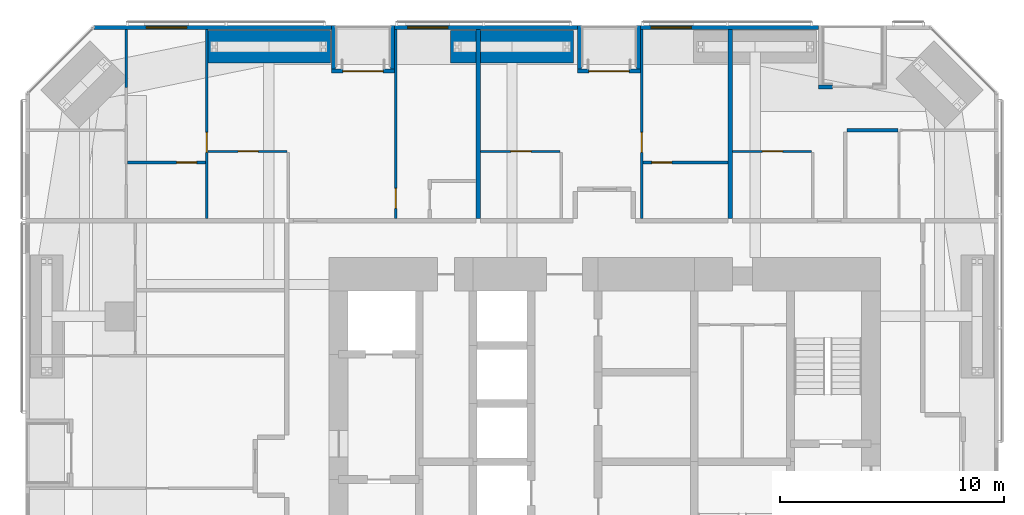
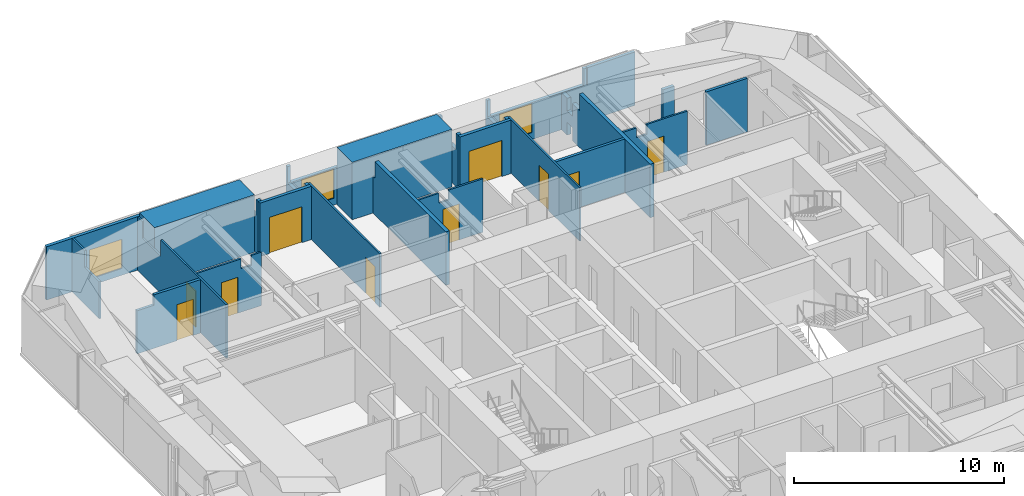
# One storey, part 22 of 24: 24 walls, 10 doors, 3 windows, 13 openings.
"""IFC4 building model written with IfcOpenShell, lengths in metres."""

import ifcopenshell
import ifcopenshell.guid

model = None  # the IFC model being written
_history = None  # IfcOwnerHistory: only IFC2X3 demands one
_inside = {}  # id of a spatial element -> (the spatial element, [elements in it])
_under = {}  # id of a project, library or spatial element -> (it, [spatial elements below it])
_declared = {}  # id of a project -> (the project, [libraries it declares])
_typed = {}  # id of a type object -> (the type object, [elements of that type])
_made_of = {}  # id of a material, layer set ... -> (it, [elements and type objects made of it])


def new_model(schema):
    """Start an empty IFC model of exactly this schema.

    Asked for "IFC4X3", IfcOpenShell would pick the latest addendum, in which some entities
    have other attributes; the version numbers below select the first issue.
    IFC2X3 requires an IfcOwnerHistory on every rooted entity: one is made here for all.
    """
    global model, _history
    if schema == "IFC4X3":
        model = ifcopenshell.file(schema_version=(4, 3, 0, 0))
    else:
        model = ifcopenshell.file(schema=schema)
    _inside.clear()
    _under.clear()
    _declared.clear()
    _typed.clear()
    _made_of.clear()
    _history = None
    if model.schema == "IFC2X3":
        org = make("IfcOrganization", Name="unknown")
        user = make(
            "IfcPersonAndOrganization",
            ThePerson=make("IfcPerson", FamilyName="unknown"),
            TheOrganization=org,
        )
        app = make(
            "IfcApplication",
            ApplicationDeveloper=org,
            Version="unknown",
            ApplicationFullName="unknown",
            ApplicationIdentifier="unknown",
        )
        _history = make(
            "IfcOwnerHistory",
            OwningUser=user,
            OwningApplication=app,
            ChangeAction="ADDED",
            CreationDate=0,
        )
    return model


def make(cls, **values):
    """One entity of the class cls with the attributes given. An attribute that is None is left unset."""
    return model.create_entity(
        cls, **{name: value for name, value in values.items() if value is not None}
    )


def rooted(cls, **values):
    """An entity with a GlobalId (a new one), such as an element, a storey or a relation."""
    return make(cls, GlobalId=ifcopenshell.guid.new(), OwnerHistory=_history, **values)


def si_unit(unit_type, name, prefix=None):
    """IfcSIUnit, for example si_unit("LENGTHUNIT", "METRE", prefix="MILLI")."""
    return make("IfcSIUnit", UnitType=unit_type, Prefix=prefix, Name=name)


def assignment(units):
    """IfcUnitAssignment: the units of a project."""
    return None if units is None else make("IfcUnitAssignment", Units=units)


def point(xyz):
    """IfcCartesianPoint."""
    return None if xyz is None else make("IfcCartesianPoint", Coordinates=xyz)


def direction(xyz):
    """IfcDirection."""
    return None if xyz is None else make("IfcDirection", DirectionRatios=xyz)


def frame(location, z_axis=None, x_axis=None):
    """IfcAxis2Placement3D, a coordinate frame: its origin and axes. An axis left out is left unset."""
    return make(
        "IfcAxis2Placement3D",
        Location=point(location),
        Axis=direction(z_axis),
        RefDirection=direction(x_axis),
    )


def frame_2d(location, x_axis=None):
    """IfcAxis2Placement2D, a coordinate frame in the plane: its origin and x axis."""
    return make(
        "IfcAxis2Placement2D", Location=point(location), RefDirection=direction(x_axis)
    )


def origin():
    """The frame at (0, 0, 0) with its axes left unset."""
    return frame((0.0, 0.0, 0.0))


def place(relative_to, where):
    """IfcLocalPlacement: puts the frame where relative to a parent placement (None: the world)."""
    return make(
        "IfcLocalPlacement", PlacementRelTo=relative_to, RelativePlacement=where
    )


def context(
    kind, dimensions, precision=None, world=None, true_north=None, identifier=None
):
    """IfcGeometricRepresentationContext, for example the 3D "Model" context."""
    return make(
        "IfcGeometricRepresentationContext",
        ContextIdentifier=identifier,
        ContextType=kind,
        CoordinateSpaceDimension=dimensions,
        Precision=precision,
        WorldCoordinateSystem=world,
        TrueNorth=true_north,
    )


def subcontext(parent, identifier, kind, view, scale=None):
    """IfcGeometricRepresentationSubContext, for example "Body" below "Model"."""
    return make(
        "IfcGeometricRepresentationSubContext",
        ContextIdentifier=identifier,
        ContextType=kind,
        ParentContext=parent,
        TargetScale=scale,
        TargetView=view,
    )


def project(units=None, contexts=None):
    """IfcProject with its units and contexts."""
    return rooted(
        "IfcProject",
        Name="project",
        RepresentationContexts=contexts,
        UnitsInContext=assignment(units),
    )


def spatial(cls, under=None, at=None, **own):
    """A site, building, storey or space (cls), placed at a placement, below another one or the project."""
    s = rooted(cls, ObjectPlacement=at, **own)
    if under is not None:
        _under.setdefault(under.id(), (under, []))[1].append(s)
    return s


def polyline(points):
    """IfcPolyline through the points."""
    return make("IfcPolyline", Points=[point(p) for p in points])


def profile(cls, at=None, kind="AREA", **sizes):
    """A parametric profile (cls). Its sizes go by their IFC names, for example OverallWidth=200.0."""
    return make(cls, ProfileType=kind, Position=at, **sizes)


def rectangle(**sizes):
    """IfcRectangleProfileDef."""
    return profile("IfcRectangleProfileDef", **sizes)


def outline(outer, holes=None, kind="AREA"):
    """IfcArbitraryClosedProfileDef: a profile drawn as a closed curve; with holes, ...WithVoids."""
    if holes is None:
        return make("IfcArbitraryClosedProfileDef", ProfileType=kind, OuterCurve=outer)
    return make(
        "IfcArbitraryProfileDefWithVoids",
        ProfileType=kind,
        OuterCurve=outer,
        InnerCurves=holes,
    )


def extrude(swept, where, along, depth):
    """IfcExtrudedAreaSolid: the profile swept, set in the frame where, extruded along a direction by depth."""
    return make(
        "IfcExtrudedAreaSolid",
        SweptArea=swept,
        Position=where,
        ExtrudedDirection=direction(along),
        Depth=depth,
    )


def shape(context_of_items, identifier, shape_type, items):
    """IfcShapeRepresentation: the items that make up one representation, for example the "Body"."""
    return make(
        "IfcShapeRepresentation",
        ContextOfItems=context_of_items,
        RepresentationIdentifier=identifier,
        RepresentationType=shape_type,
        Items=items,
    )


def material(Name=None, Category=None):
    """IfcMaterial."""
    return make("IfcMaterial", Name=Name, Category=Category)


def layer(
    of_material, thickness, ventilated=None, Name=None, Category=None, Priority=None
):
    """IfcMaterialLayer: one layer of a wall or slab, of a material (None: an air gap)."""
    return make(
        "IfcMaterialLayer",
        Material=of_material,
        LayerThickness=thickness,
        IsVentilated=ventilated,
        Name=Name,
        Category=Category,
        Priority=Priority,
    )


def layer_set(layers, Name=None):
    """IfcMaterialLayerSet."""
    return make("IfcMaterialLayerSet", MaterialLayers=layers, LayerSetName=Name)


def constituent(of_material, Name=None, Category=None, fraction=None):
    """IfcMaterialConstituent: one of the materials an element consists of."""
    return make(
        "IfcMaterialConstituent",
        Name=Name,
        Material=of_material,
        Fraction=fraction,
        Category=Category,
    )


def constituent_set(constituents=None, Name=None):
    """IfcMaterialConstituentSet."""
    return make(
        "IfcMaterialConstituentSet", Name=Name, MaterialConstituents=constituents
    )


def made_of(thing, what):
    """Note that an element or type object is made of a material, layer set ...; save() writes the relation."""
    if what is not None:
        _made_of.setdefault(what.id(), (what, []))[1].append(thing)
    return thing


def type_object(cls, material=None, **own):
    """A type object (cls), such as IfcWallType, which elements share."""
    return made_of(rooted(cls, **own), material)


def element(
    cls,
    number,
    at=None,
    inside=None,
    cuts=None,
    type_object=None,
    material=None,
    context=None,
    identifier="Body",
    shape_type=None,
    held_by="IfcProductDefinitionShape",
    body=None,
    shapes=None,
    **own,
):
    """One element of the class cls, such as IfcWall. Its Tag is "e" and its number.

    at: its placement. inside: the storey or other place that contains it. cuts: it is an
    opening in that element (IfcRelVoidsElement). A single representation is given by context,
    identifier, shape_type and body (its items); several are given by shapes. held_by: the class
    of the entity that holds the representations. save() writes the other relations.
    """
    e = rooted(cls, Tag="e%d" % number, ObjectPlacement=at, **own)
    if body is not None:
        shapes = [shape(context, identifier, shape_type, body)]
    if shapes is not None:
        e.Representation = make(held_by, Representations=shapes)
    if inside is not None:
        _inside.setdefault(inside.id(), (inside, []))[1].append(e)
    if cuts is not None:
        rooted(
            "IfcRelVoidsElement", RelatingBuildingElement=cuts, RelatedOpeningElement=e
        )
    if type_object is not None:
        _typed.setdefault(type_object.id(), (type_object, []))[1].append(e)
    return made_of(e, material)


def fill(opening, filler):
    """IfcRelFillsElement: the door or window that sits in an opening."""
    return rooted(
        "IfcRelFillsElement",
        RelatingOpeningElement=opening,
        RelatedBuildingElement=filler,
    )


def aggregate(whole, parts):
    """IfcRelAggregates: a whole, such as a stair, and the parts it consists of."""
    return rooted("IfcRelAggregates", RelatingObject=whole, RelatedObjects=parts)


def save(model, path):
    """Write the relations noted so far, then the file.

    IfcRelAggregates (storeys below a building ...), IfcRelContainedInSpatialStructure (elements
    in a storey), IfcRelDefinesByType, IfcRelAssociatesMaterial and IfcRelDeclares: one each for
    every whole, place, type object, material and project.
    """
    for whole, parts in _under.values():
        aggregate(whole, parts)
    for where, things in _inside.values():
        rooted(
            "IfcRelContainedInSpatialStructure",
            RelatedElements=things,
            RelatingStructure=where,
        )
    for kind, things in _typed.values():
        rooted("IfcRelDefinesByType", RelatedObjects=things, RelatingType=kind)
    for what, things in _made_of.values():
        rooted("IfcRelAssociatesMaterial", RelatedObjects=things, RelatingMaterial=what)
    for by, libraries in _declared.values():
        rooted("IfcRelDeclares", RelatingContext=by, RelatedDefinitions=libraries)
    model.write(path)


model = new_model("IFC4")

# Units and contexts
model_context = context("Model", 3, precision=1e-05, world=origin(), true_north=direction((0.0, 1.0)))
body_context = subcontext(model_context, "Body", "Model", "MODEL_VIEW")
ifc_project = project(units=[si_unit("LENGTHUNIT", "METRE"), si_unit("AREAUNIT", "SQUARE_METRE"), si_unit("VOLUMEUNIT", "CUBIC_METRE"), si_unit("PLANEANGLEUNIT", "RADIAN"), si_unit("MASSUNIT", "GRAM", prefix="KILO")], contexts=[model_context])

# Site, building, storey
site_placement = place(None, origin())
site = spatial("IfcSite", under=ifc_project, at=site_placement, CompositionType="ELEMENT")
building_placement = place(site_placement, origin())
building = spatial("IfcBuilding", under=site, at=building_placement, Name="Jalousie Tower", CompositionType="ELEMENT")
storey_placement = place(building_placement, frame((0.0, 0.0, 91.449951171875)))
storey = spatial("IfcBuildingStorey", under=building, at=storey_placement, Name="L24", CompositionType="ELEMENT", Elevation=91.449951171875)

# Wall, opening, door
ifc_material_1 = material(Name="Concrete block ASTM C90", Category="concrete")
ifc_constituent_1 = constituent(ifc_material_1, Name="Body")
ifc_material_2 = material(Name="Render")
ifc_constituent_2 = constituent(ifc_material_2, Name="Finish")
ifc_constituent_set_1 = constituent_set(constituents=[ifc_constituent_1, ifc_constituent_2])
wall_type_1 = type_object("IfcWallType", Name="BATHROOM WALL 150", PredefinedType="PLUMBINGWALL", material=ifc_constituent_set_1)
wall_1_placement = place(storey_placement, frame((10.550048828125, 31.875, 0.0), z_axis=(0.0, 0.0, 1.0), x_axis=(1.0, 0.0, 0.0)))
wall_1 = element("IfcWall", 1, at=wall_1_placement, inside=storey, type_object=wall_type_1, Name="Bathroom Wall 150 L24", PredefinedType="PLUMBINGWALL", context=body_context, shape_type="SweptSolid", body=[
    extrude(outline(polyline([(0.0, 0.0), (3.5, 0.0), (3.5, 3.110107421875), (0.93505859375, 3.110107421875), (0.93505859375, 2.510009765625), (0.0, 2.510009765625), (0.0, 3.110107421875), (0.0, 0.0)])), frame((0.0, 0.074951171875, 0.0), z_axis=(0.0, -1.0, 0.0), x_axis=(1.0, 0.0, 0.0)), (0.0, 0.0, 1.0), 0.14990234375),
])
opening_1_placement = place(wall_1_placement, frame((2.199951171875, 0.0, 0.0)))
opening_1 = element("IfcOpeningElement", 2, at=opening_1_placement, cuts=wall_1, Name="Opening D3", PredefinedType="OPENING", context=body_context, shape_type="SweptSolid", body=[
    extrude(rectangle(XDim=0.89990234375, YDim=2.10009765625, at=frame_2d((0.449951171875, 1.050048828125))), frame((0.0, 0.0849609375, 0.0), z_axis=(0.0, -1.0, 0.0), x_axis=(1.0, 0.0, 0.0)), (0.0, 0.0, 1.0), 0.169921875),
])
ifc_material_3 = material(Name="Timber door", Category="wood")
door_type_1 = type_object("IfcDoorType", Name="BATHROOM DOOR 900", OperationType="SINGLE_SWING_LEFT", PredefinedType="DOOR", material=ifc_material_3)
door_1_placement = place(opening_1_placement, frame((0.89990234375, 0.0, 0.0), z_axis=(0.0, 0.0, 1.0), x_axis=(-1.0, 0.0, 0.0)))
door_1 = element("IfcDoor", 3, at=door_1_placement, inside=storey, type_object=door_type_1, Name="Apartment 2404 bedroom 2 bathroom door", OperationType="SINGLE_SWING_LEFT", OverallHeight=2.10009765625, OverallWidth=0.89990234375, PredefinedType="DOOR", context=body_context, shape_type="SweptSolid", body=[
    extrude(rectangle(XDim=0.89990234375, YDim=2.10009765625, at=frame_2d((0.449951171875, 1.050048828125))), frame((0.0, 0.02490234375, 0.0), z_axis=(0.0, -1.0, 0.0), x_axis=(1.0, 0.0, 0.0)), (0.0, 0.0, 1.0), 0.050048828125),
])
fill(opening_1, door_1)

wall_2_placement = place(storey_placement, frame((33.60009765625, 31.875, 0.0), z_axis=(0.0, 0.0, 1.0), x_axis=(1.0, 0.0, 0.0)))
wall_2 = element("IfcWall", 4, at=wall_2_placement, inside=storey, type_object=wall_type_1, Name="Bathroom Wall 150 L24", PredefinedType="PLUMBINGWALL", context=body_context, shape_type="SweptSolid", body=[
    extrude(rectangle(XDim=3.7998046875, YDim=0.14990234375, at=frame_2d((1.89990234375, 0.0))), origin(), (0.0, 0.0, 1.0), 3.110107421875),
])
opening_2_placement = place(wall_2_placement, frame((0.39990234375, 0.0, 0.0)))
opening_2 = element("IfcOpeningElement", 5, at=opening_2_placement, cuts=wall_2, Name="Opening D3", PredefinedType="OPENING", context=body_context, shape_type="SweptSolid", body=[
    extrude(rectangle(XDim=0.89990234375, YDim=2.10009765625, at=frame_2d((0.449951171875, 1.050048828125))), frame((0.0, 0.0849609375, 0.0), z_axis=(0.0, -1.0, 0.0), x_axis=(1.0, 0.0, 0.0)), (0.0, 0.0, 1.0), 0.169921875),
])
door_2_placement = place(opening_2_placement, frame((0.89990234375, 0.0, 0.0), z_axis=(0.0, 0.0, 1.0), x_axis=(-1.0, 0.0, 0.0)))
door_2 = element("IfcDoor", 6, at=door_2_placement, inside=storey, type_object=door_type_1, Name="Apartment 2405 bedroom 1 bathroom door", OperationType="SINGLE_SWING_RIGHT", OverallHeight=2.10009765625, OverallWidth=0.89990234375, PredefinedType="DOOR", context=body_context, shape_type="SweptSolid", body=[
    extrude(rectangle(XDim=0.89990234375, YDim=2.10009765625, at=frame_2d((0.449951171875, 1.050048828125))), frame((0.0, 0.02490234375, 0.0), z_axis=(0.0, -1.0, 0.0), x_axis=(1.0, 0.0, 0.0)), (0.0, 0.0, 1.0), 0.050048828125),
])
fill(opening_2, door_2)

# Wall
wall_3_placement = place(storey_placement, frame((42.72509765625, 33.32421875, 0.0), z_axis=(0.0, 0.0, 1.0), x_axis=(1.0, 0.0, 0.0)))
element("IfcWall", 7, at=wall_3_placement, inside=storey, type_object=wall_type_1, Name="Bathroom Wall 150 L24", PredefinedType="PLUMBINGWALL", context=body_context, shape_type="SweptSolid", body=[
    extrude(rectangle(XDim=2.27490234375, YDim=0.14990234375, at=frame_2d((1.137451171875, 0.0))), origin(), (0.0, 0.0, 1.0), 3.110107421875),
])

# Wall, opening, window
ifc_material_4 = material(Name="Concrete f'c 40 MPa", Category="concrete")
ifc_constituent_3 = constituent(ifc_material_4, Name="Body")
ifc_material_5 = material(Name="Render, pastel sea green")
ifc_constituent_4 = constituent(ifc_material_5, Name="Finish")
ifc_constituent_set_2 = constituent_set(constituents=[ifc_constituent_3, ifc_constituent_4])
wall_type_2 = type_object("IfcWallType", Name="EXTERNAL WALL 175 SEA GREEN RENDER", PredefinedType="SOLIDWALL", material=ifc_constituent_set_2)
wall_4_placement = place(storey_placement, frame((41.44873046875, 37.91259765625, 0.0), z_axis=(0.0, 0.0, 1.0), x_axis=(-1.0, 0.0, 0.0)))
wall_4 = element("IfcWall", 8, at=wall_4_placement, inside=storey, type_object=wall_type_2, Name="External Wall 175 Sea Green Render L24", PredefinedType="SOLIDWALL", context=body_context, shape_type="SweptSolid", body=[
    extrude(outline(polyline([(0.0, 0.0), (7.94873046875, 0.0), (7.94873046875, 2.150146484375), (2.82373046875, 2.150146484375), (2.82373046875, 3.110107421875), (2.66552734375, 3.110107421875), (2.66552734375, 2.150146484375), (2.620361328125, 2.150146484375), (2.620361328125, 3.110107421875), (0.0, 3.110107421875), (0.0, 0.0)])), frame((0.0, 0.08740234375, 0.0), z_axis=(0.0, -1.0, 0.0), x_axis=(1.0, 0.0, 0.0)), (0.0, 0.0, 1.0), 0.175048828125),
])
opening_3_placement = place(wall_4_placement, frame((5.673583984375, 0.0, 0.39990234375)))
opening_3 = element("IfcOpeningElement", 9, at=opening_3_placement, cuts=wall_4, Name="Opening W-BED170", PredefinedType="OPENING", context=body_context, shape_type="SweptSolid", body=[
    extrude(rectangle(XDim=1.800048828125, YDim=1.699951171875, at=frame_2d((0.89990234375, 0.85009765625))), frame((0.0, 0.097412109375, 0.0), z_axis=(0.0, -1.0, 0.0), x_axis=(1.0, 0.0, 0.0)), (0.0, 0.0, 1.0), 0.195068359375),
])
ifc_material_6 = material(Name="Aluminium frame, impact-rated glazing", Category="aluminium")
window_type = type_object("IfcWindowType", Name="WINDOW BED 1800x1700", PartitioningType="SINGLE_PANEL", PredefinedType="WINDOW", material=ifc_material_6)
window_1_placement = place(opening_3_placement, origin())
window_1 = element("IfcWindow", 10, at=window_1_placement, inside=storey, type_object=window_type, Name="Apartment 2405 bedroom 1 window", OverallHeight=1.699951171875, OverallWidth=1.800048828125, PartitioningType="SINGLE_PANEL", PredefinedType="WINDOW", context=body_context, shape_type="SweptSolid", body=[
    extrude(rectangle(XDim=1.800048828125, YDim=1.699951171875, at=frame_2d((0.89990234375, 0.85009765625))), frame((0.0, 0.030029296875, 0.0), z_axis=(0.0, -1.0, 0.0), x_axis=(1.0, 0.0, 0.0)), (0.0, 0.0, 1.0), 0.06005859375),
])
fill(opening_3, window_1)

wall_5_placement = place(storey_placement, frame((30.675048828125, 37.91259765625, 0.0), z_axis=(0.0, 0.0, 1.0), x_axis=(-1.0, 0.0, 0.0)))
wall_5 = element("IfcWall", 11, at=wall_5_placement, inside=storey, type_object=wall_type_2, Name="External Wall 175 Sea Green Render L24", PredefinedType="SOLIDWALL", context=body_context, shape_type="SweptSolid", body=[
    extrude(rectangle(XDim=8.175048828125, YDim=0.175048828125, at=frame_2d((4.08740234375, 0.0))), origin(), (0.0, 0.0, 1.0), 2.150146484375),
])
opening_4_placement = place(wall_5_placement, frame((5.793701171875, 0.0, 0.39990234375)))
opening_4 = element("IfcOpeningElement", 12, at=opening_4_placement, cuts=wall_5, Name="Opening W-BED170", PredefinedType="OPENING", context=body_context, shape_type="SweptSolid", body=[
    extrude(rectangle(XDim=1.800048828125, YDim=1.699951171875, at=frame_2d((0.89990234375, 0.85009765625))), frame((0.0, 0.097412109375, 0.0), z_axis=(0.0, -1.0, 0.0), x_axis=(1.0, 0.0, 0.0)), (0.0, 0.0, 1.0), 0.195068359375),
])
window_2_placement = place(opening_4_placement, origin())
window_2 = element("IfcWindow", 13, at=window_2_placement, inside=storey, type_object=window_type, Name="Apartment 2404 study window", OverallHeight=1.699951171875, OverallWidth=1.800048828125, PartitioningType="SINGLE_PANEL", PredefinedType="WINDOW", context=body_context, shape_type="SweptSolid", body=[
    extrude(rectangle(XDim=1.800048828125, YDim=1.699951171875, at=frame_2d((0.89990234375, 0.85009765625))), frame((0.0, 0.030029296875, 0.0), z_axis=(0.0, -1.0, 0.0), x_axis=(1.0, 0.0, 0.0)), (0.0, 0.0, 1.0), 0.06005859375),
])
fill(opening_4, window_2)

wall_6_placement = place(storey_placement, frame((19.675048828125, 37.91259765625, 0.0), z_axis=(0.0, 0.0, 1.0), x_axis=(-1.0, 0.0, 0.0)))
wall_6 = element("IfcWall", 14, at=wall_6_placement, inside=storey, type_object=wall_type_2, Name="External Wall 175 Sea Green Render L24", PredefinedType="SOLIDWALL", context=body_context, shape_type="SweptSolid", body=[
    extrude(outline(polyline([(0.0, 0.0), (10.623779296875, 0.0), (10.623779296875, 3.110107421875), (3.00341796875, 3.110107421875), (3.00341796875, 2.150146484375), (2.9580078125, 2.150146484375), (2.9580078125, 3.110107421875), (2.800048828125, 3.110107421875), (2.800048828125, 2.150146484375), (0.0, 2.150146484375), (0.0, 0.0)])), frame((0.0, 0.08740234375, 0.0), z_axis=(0.0, -1.0, 0.0), x_axis=(1.0, 0.0, 0.0)), (0.0, 0.0, 1.0), 0.175048828125),
])
opening_5_placement = place(wall_6_placement, frame((6.47509765625, 0.0, 0.39990234375)))
opening_5 = element("IfcOpeningElement", 15, at=opening_5_placement, cuts=wall_6, Name="Opening W-BED170", PredefinedType="OPENING", context=body_context, shape_type="SweptSolid", body=[
    extrude(rectangle(XDim=1.800048828125, YDim=1.699951171875, at=frame_2d((0.89990234375, 0.85009765625))), frame((0.0, 0.097412109375, 0.0), z_axis=(0.0, -1.0, 0.0), x_axis=(1.0, 0.0, 0.0)), (0.0, 0.0, 1.0), 0.195068359375),
])
window_3_placement = place(opening_5_placement, origin())
window_3 = element("IfcWindow", 16, at=window_3_placement, inside=storey, type_object=window_type, Name="Apartment 2404 bedroom 2 window", OverallHeight=1.699951171875, OverallWidth=1.800048828125, PartitioningType="SINGLE_PANEL", PredefinedType="WINDOW", context=body_context, shape_type="SweptSolid", body=[
    extrude(rectangle(XDim=1.800048828125, YDim=1.699951171875, at=frame_2d((0.89990234375, 0.85009765625))), frame((0.0, 0.030029296875, 0.0), z_axis=(0.0, -1.0, 0.0), x_axis=(1.0, 0.0, 0.0)), (0.0, 0.0, 1.0), 0.06005859375),
])
fill(opening_5, window_3)

# Wall
wall_7_placement = place(storey_placement, frame((42.07373046875, 35.262451171875, 0.0), z_axis=(0.0, 0.0, 1.0), x_axis=(-1.0, 0.0, 0.0)))
element("IfcWall", 17, at=wall_7_placement, inside=storey, type_object=wall_type_2, Name="External Wall 175 Sea Green Render L24-B", PredefinedType="SOLIDWALL", context=body_context, shape_type="SweptSolid", body=[
    extrude(rectangle(XDim=0.625, YDim=0.175048828125, at=frame_2d((0.3125, 0.0))), origin(), (0.0, 0.0, 1.0), 2.510009765625),
])

# Wall, opening, door
wall_8_placement = place(storey_placement, frame((33.5, 35.96240234375, 0.0), z_axis=(0.0, 0.0, 1.0), x_axis=(-1.0, 0.0, 0.0)))
wall_8 = element("IfcWall", 18, at=wall_8_placement, inside=storey, type_object=wall_type_2, Name="External Wall 175 Sea Green Render L24", PredefinedType="SOLIDWALL", context=body_context, shape_type="SweptSolid", body=[
    extrude(rectangle(XDim=2.824951171875, YDim=0.175048828125, at=frame_2d((1.41259765625, 0.0))), origin(), (0.0, 0.0, 1.0), 3.110107421875),
])
opening_6_placement = place(wall_8_placement, frame((0.512451171875, 0.0, 0.0)))
opening_6 = element("IfcOpeningElement", 19, at=opening_6_placement, cuts=wall_8, Name="Opening D-BAL21", PredefinedType="OPENING", context=body_context, shape_type="SweptSolid", body=[
    extrude(rectangle(XDim=1.800048828125, YDim=2.10009765625, at=frame_2d((0.89990234375, 1.050048828125))), frame((0.0, 0.097412109375, 0.0), z_axis=(0.0, -1.0, 0.0), x_axis=(1.0, 0.0, 0.0)), (0.0, 0.0, 1.0), 0.195068359375),
])
ifc_material_7 = material(Name="Aluminium frame, impact-rated glazing", Category="aluminium")
door_type_2 = type_object("IfcDoorType", Name="BALCONY DOOR 1800x2100", OperationType="SLIDING_TO_LEFT", PredefinedType="DOOR", material=ifc_material_7)
door_3_placement = place(opening_6_placement, origin())
door_3 = element("IfcDoor", 20, at=door_3_placement, inside=storey, type_object=door_type_2, Name="Apartment 2405 living and dining room loggia door", OperationType="SLIDING_TO_LEFT", OverallHeight=2.10009765625, OverallWidth=1.800048828125, PredefinedType="DOOR", context=body_context, shape_type="SweptSolid", body=[
    extrude(rectangle(XDim=1.800048828125, YDim=2.10009765625, at=frame_2d((0.89990234375, 1.050048828125))), frame((0.0, 0.02490234375, 0.0), z_axis=(0.0, -1.0, 0.0), x_axis=(1.0, 0.0, 0.0)), (0.0, 0.0, 1.0), 0.050048828125),
])
fill(opening_6, door_3)

# Walls
for number, where, z_axis, x_axis, name in (
    (21, (33.41259765625, 38.0, 0.0), (0.0, 0.0, 1.0), (0.0, -1.0, 0.0), "External Wall 175 Sea Green Render L24"),
    (22, (30.762451171875, 38.0, 0.0), (0.0, 0.0, 1.0), (0.0, -1.0, 0.0), "External Wall 175 Sea Green Render L24"),
):
    element("IfcWall", number, at=place(storey_placement, frame(where, z_axis=z_axis, x_axis=x_axis)), inside=storey, type_object=wall_type_2, Name=name, PredefinedType="SOLIDWALL", context=body_context, shape_type="SweptSolid", body=[
        extrude(outline(polyline([(0.0, 0.0), (1.949951171875, 0.0), (1.949951171875, 3.110107421875), (1.75, 3.110107421875), (1.75, 2.150146484375), (0.14990234375, 2.150146484375), (0.14990234375, 3.110107421875), (0.0, 3.110107421875), (0.0, 0.0)])), frame((0.0, 0.08740234375, 0.0), z_axis=(0.0, -1.0, 0.0), x_axis=(1.0, 0.0, 0.0)), (0.0, 0.0, 1.0), 0.175048828125),
    ])

# Wall, opening, door
wall_9_placement = place(storey_placement, frame((22.5, 35.96240234375, 0.0), z_axis=(0.0, 0.0, 1.0), x_axis=(-1.0, 0.0, 0.0)))
wall_9 = element("IfcWall", 23, at=wall_9_placement, inside=storey, type_object=wall_type_2, Name="External Wall 175 Sea Green Render L24", PredefinedType="SOLIDWALL", context=body_context, shape_type="SweptSolid", body=[
    extrude(rectangle(XDim=2.824951171875, YDim=0.175048828125, at=frame_2d((1.41259765625, 0.0))), origin(), (0.0, 0.0, 1.0), 3.110107421875),
])
opening_7_placement = place(wall_9_placement, frame((0.512451171875, 0.0, 0.0)))
opening_7 = element("IfcOpeningElement", 24, at=opening_7_placement, cuts=wall_9, Name="Opening D-BAL21", PredefinedType="OPENING", context=body_context, shape_type="SweptSolid", body=[
    extrude(rectangle(XDim=1.800048828125, YDim=2.10009765625, at=frame_2d((0.89990234375, 1.050048828125))), frame((0.0, 0.097412109375, 0.0), z_axis=(0.0, -1.0, 0.0), x_axis=(1.0, 0.0, 0.0)), (0.0, 0.0, 1.0), 0.195068359375),
])
door_4_placement = place(opening_7_placement, origin())
door_4 = element("IfcDoor", 25, at=door_4_placement, inside=storey, type_object=door_type_2, Name="Apartment 2404 living and dining room loggia door", OperationType="SLIDING_TO_LEFT", OverallHeight=2.10009765625, OverallWidth=1.800048828125, PredefinedType="DOOR", context=body_context, shape_type="SweptSolid", body=[
    extrude(rectangle(XDim=1.800048828125, YDim=2.10009765625, at=frame_2d((0.89990234375, 1.050048828125))), frame((0.0, 0.02490234375, 0.0), z_axis=(0.0, -1.0, 0.0), x_axis=(1.0, 0.0, 0.0)), (0.0, 0.0, 1.0), 0.050048828125),
])
fill(opening_7, door_4)

# Walls
for number, where, z_axis, x_axis, name in (
    (26, (22.41259765625, 38.0, 0.0), (0.0, 0.0, 1.0), (0.0, -1.0, 0.0), "External Wall 175 Sea Green Render L24"),
    (27, (19.762451171875, 38.0, 0.0), (0.0, 0.0, 1.0), (0.0, -1.0, 0.0), "External Wall 175 Sea Green Render L24"),
):
    element("IfcWall", number, at=place(storey_placement, frame(where, z_axis=z_axis, x_axis=x_axis)), inside=storey, type_object=wall_type_2, Name=name, PredefinedType="SOLIDWALL", context=body_context, shape_type="SweptSolid", body=[
        extrude(outline(polyline([(0.0, 0.0), (1.949951171875, 0.0), (1.949951171875, 3.110107421875), (1.75, 3.110107421875), (1.75, 2.150146484375), (0.14990234375, 2.150146484375), (0.14990234375, 3.110107421875), (0.0, 3.110107421875), (0.0, 0.0)])), frame((0.0, 0.08740234375, 0.0), z_axis=(0.0, -1.0, 0.0), x_axis=(1.0, 0.0, 0.0)), (0.0, 0.0, 1.0), 0.175048828125),
    ])
ifc_material_8 = material(Name="Gypsum board", Category="gypsum")
ifc_constituent_5 = constituent(ifc_material_8, Name="Body")
ifc_material_9 = material(Name="Light-gauge steel studs ASTM A653 SS Grade 33", Category="steel")
ifc_constituent_6 = constituent(ifc_material_9, Name="Framing")
ifc_constituent_set_3 = constituent_set(constituents=[ifc_constituent_5, ifc_constituent_6])
wall_type_3 = type_object("IfcWallType", Name="PARTITION 100", PredefinedType="PARTITIONING", material=ifc_constituent_set_3)
wall_10_placement = place(storey_placement, frame((10.5, 37.824951171875, 0.0), z_axis=(0.0, 0.0, 1.0), x_axis=(0.0, -1.0, 0.0)))
element("IfcWall", 28, at=wall_10_placement, inside=storey, type_object=wall_type_3, Name="Partition 100 L24-A", PredefinedType="PARTITIONING", context=body_context, shape_type="SweptSolid", body=[
    extrude(outline(polyline([(0.0, 0.0), (2.5849609375, 0.0), (2.5849609375, 2.150146484375), (1.197509765625, 2.150146484375), (1.197509765625, 3.110107421875), (0.0, 3.110107421875), (0.0, 0.0)])), frame((0.0, 0.050048828125, 0.0), z_axis=(0.0, -1.0, 0.0), x_axis=(1.0, 0.0, 0.0)), (0.0, 0.0, 1.0), 0.10009765625),
])

# Wall, opening, door
wall_11_placement = place(storey_placement, frame((14.10009765625, 37.824951171875, 0.0), z_axis=(0.0, 0.0, 1.0), x_axis=(0.0, -1.0, 0.0)))
wall_11 = element("IfcWall", 29, at=wall_11_placement, inside=storey, type_object=wall_type_3, Name="Partition 100 L24", PredefinedType="PARTITIONING", context=body_context, shape_type="SweptSolid", body=[
    extrude(outline(polyline([(0.0, 0.0), (8.449951171875, 0.0), (8.449951171875, 3.110107421875), (2.21875, 3.110107421875), (2.21875, 2.150146484375), (0.46337890625, 2.150146484375), (0.46337890625, 3.110107421875), (0.0, 3.110107421875), (0.0, 0.0)])), frame((0.0, 0.050048828125, 0.0), z_axis=(0.0, -1.0, 0.0), x_axis=(1.0, 0.0, 0.0)), (0.0, 0.0, 1.0), 0.10009765625),
])
opening_8_placement = place(wall_11_placement, frame((4.60009765625, 0.0, 0.0)))
opening_8 = element("IfcOpeningElement", 30, at=opening_8_placement, cuts=wall_11, Name="Opening D2", PredefinedType="OPENING", context=body_context, shape_type="SweptSolid", body=[
    extrude(rectangle(XDim=0.89990234375, YDim=2.10009765625, at=frame_2d((0.449951171875, 1.050048828125))), frame((0.0, 0.06005859375, 0.0), z_axis=(0.0, -1.0, 0.0), x_axis=(1.0, 0.0, 0.0)), (0.0, 0.0, 1.0), 0.1201171875),
])
ifc_material_10 = material(Name="Timber door", Category="wood")
door_type_3 = type_object("IfcDoorType", Name="BEDROOM DOOR 900", OperationType="SINGLE_SWING_LEFT", PredefinedType="DOOR", material=ifc_material_10)
door_5_placement = place(opening_8_placement, frame((0.89990234375, 0.0, 0.0), z_axis=(0.0, 0.0, 1.0), x_axis=(-1.0, 0.0, 0.0)))
door_5 = element("IfcDoor", 31, at=door_5_placement, inside=storey, type_object=door_type_3, Name="Apartment 2404 bedroom 2 door", OperationType="SINGLE_SWING_LEFT", OverallHeight=2.10009765625, OverallWidth=0.89990234375, PredefinedType="DOOR", context=body_context, shape_type="SweptSolid", body=[
    extrude(rectangle(XDim=0.89990234375, YDim=2.10009765625, at=frame_2d((0.449951171875, 1.050048828125))), frame((0.0, 0.02490234375, 0.0), z_axis=(0.0, -1.0, 0.0), x_axis=(1.0, 0.0, 0.0)), (0.0, 0.0, 1.0), 0.050048828125),
])
fill(opening_8, door_5)

wall_12_placement = place(storey_placement, frame((22.550048828125, 37.824951171875, 0.0), z_axis=(0.0, 0.0, 1.0), x_axis=(0.0, -1.0, 0.0)))
wall_12 = element("IfcWall", 32, at=wall_12_placement, inside=storey, type_object=wall_type_3, Name="Partition 100 L24", PredefinedType="PARTITIONING", context=body_context, shape_type="SweptSolid", body=[
    extrude(outline(polyline([(0.0, 0.0), (8.449951171875, 0.0), (8.449951171875, 3.110107421875), (1.635009765625, 3.110107421875), (1.635009765625, 2.150146484375), (0.0, 2.150146484375), (0.0, 3.110107421875), (0.0, 0.0)])), frame((0.0, 0.050048828125, 0.0), z_axis=(0.0, -1.0, 0.0), x_axis=(1.0, 0.0, 0.0)), (0.0, 0.0, 1.0), 0.10009765625),
])
opening_9_placement = place(wall_12_placement, frame((7.10009765625, 0.0, 0.0)))
opening_9 = element("IfcOpeningElement", 33, at=opening_9_placement, cuts=wall_12, Name="Opening D2", PredefinedType="OPENING", context=body_context, shape_type="SweptSolid", body=[
    extrude(rectangle(XDim=0.89990234375, YDim=2.10009765625, at=frame_2d((0.449951171875, 1.050048828125))), frame((0.0, 0.06005859375, 0.0), z_axis=(0.0, -1.0, 0.0), x_axis=(1.0, 0.0, 0.0)), (0.0, 0.0, 1.0), 0.1201171875),
])
door_6_placement = place(opening_9_placement, origin())
door_6 = element("IfcDoor", 34, at=door_6_placement, inside=storey, type_object=door_type_3, Name="Apartment 2404 study door", OperationType="SINGLE_SWING_RIGHT", OverallHeight=2.10009765625, OverallWidth=0.89990234375, PredefinedType="DOOR", context=body_context, shape_type="SweptSolid", body=[
    extrude(rectangle(XDim=0.89990234375, YDim=2.10009765625, at=frame_2d((0.449951171875, 1.050048828125))), frame((0.0, 0.02490234375, 0.0), z_axis=(0.0, -1.0, 0.0), x_axis=(1.0, 0.0, 0.0)), (0.0, 0.0, 1.0), 0.050048828125),
])
fill(opening_9, door_6)

wall_13_placement = place(storey_placement, frame((14.14990234375, 32.375, 0.0), z_axis=(0.0, 0.0, 1.0), x_axis=(1.0, 0.0, 0.0)))
wall_13 = element("IfcWall", 35, at=wall_13_placement, inside=storey, type_object=wall_type_3, Name="Partition 100 L24", PredefinedType="PARTITIONING", context=body_context, shape_type="SweptSolid", body=[
    extrude(outline(polyline([(0.0, 0.0), (3.550048828125, 0.0), (3.550048828125, 3.110107421875), (3.01220703125, 3.110107421875), (3.01220703125, 2.541015625), (2.4375, 2.541015625), (2.4375, 3.110107421875), (0.0, 3.110107421875), (0.0, 0.0)])), frame((0.0, 0.050048828125, 0.0), z_axis=(0.0, -1.0, 0.0), x_axis=(1.0, 0.0, 0.0)), (0.0, 0.0, 1.0), 0.10009765625),
])
opening_10_placement = place(wall_13_placement, frame((1.35009765625, 0.0, 0.0)))
opening_10 = element("IfcOpeningElement", 36, at=opening_10_placement, cuts=wall_13, Name="Opening D7", PredefinedType="OPENING", context=body_context, shape_type="SweptSolid", body=[
    extrude(rectangle(XDim=0.89990234375, YDim=2.10009765625, at=frame_2d((0.449951171875, 1.050048828125))), frame((0.0, 0.06005859375, 0.0), z_axis=(0.0, -1.0, 0.0), x_axis=(1.0, 0.0, 0.0)), (0.0, 0.0, 1.0), 0.1201171875),
])
ifc_material_11 = material(Name="Timber door", Category="wood")
door_type_4 = type_object("IfcDoorType", Name="INTERNAL DOOR 900", OperationType="SINGLE_SWING_LEFT", PredefinedType="DOOR", material=ifc_material_11)
door_7_placement = place(opening_10_placement, origin())
door_7 = element("IfcDoor", 37, at=door_7_placement, inside=storey, type_object=door_type_4, Name="Apartment 2404 kitchen door", OperationType="SINGLE_SWING_LEFT", OverallHeight=2.10009765625, OverallWidth=0.89990234375, PredefinedType="DOOR", context=body_context, shape_type="SweptSolid", body=[
    extrude(rectangle(XDim=0.89990234375, YDim=2.10009765625, at=frame_2d((0.449951171875, 1.050048828125))), frame((0.0, 0.02490234375, 0.0), z_axis=(0.0, -1.0, 0.0), x_axis=(1.0, 0.0, 0.0)), (0.0, 0.0, 1.0), 0.050048828125),
])
fill(opening_10, door_7)

wall_14_placement = place(storey_placement, frame((33.550048828125, 37.824951171875, 0.0), z_axis=(0.0, 0.0, 1.0), x_axis=(0.0, -1.0, 0.0)))
wall_14 = element("IfcWall", 38, at=wall_14_placement, inside=storey, type_object=wall_type_3, Name="Partition 100 L24", PredefinedType="PARTITIONING", context=body_context, shape_type="SweptSolid", body=[
    extrude(outline(polyline([(0.0, 0.0), (8.449951171875, 0.0), (8.449951171875, 3.110107421875), (1.635009765625, 3.110107421875), (1.635009765625, 2.150146484375), (0.0, 2.150146484375), (0.0, 3.110107421875), (0.0, 0.0)])), frame((0.0, 0.050048828125, 0.0), z_axis=(0.0, -1.0, 0.0), x_axis=(1.0, 0.0, 0.0)), (0.0, 0.0, 1.0), 0.10009765625),
])
opening_11_placement = place(wall_14_placement, frame((4.60009765625, 0.0, 0.0)))
opening_11 = element("IfcOpeningElement", 39, at=opening_11_placement, cuts=wall_14, Name="Opening D2", PredefinedType="OPENING", context=body_context, shape_type="SweptSolid", body=[
    extrude(rectangle(XDim=0.89990234375, YDim=2.10009765625, at=frame_2d((0.449951171875, 1.050048828125))), frame((0.0, 0.06005859375, 0.0), z_axis=(0.0, -1.0, 0.0), x_axis=(1.0, 0.0, 0.0)), (0.0, 0.0, 1.0), 0.1201171875),
])
door_8_placement = place(opening_11_placement, origin())
door_8 = element("IfcDoor", 40, at=door_8_placement, inside=storey, type_object=door_type_3, Name="Apartment 2405 bedroom 1 door", OperationType="SINGLE_SWING_RIGHT", OverallHeight=2.10009765625, OverallWidth=0.89990234375, PredefinedType="DOOR", context=body_context, shape_type="SweptSolid", body=[
    extrude(rectangle(XDim=0.89990234375, YDim=2.10009765625, at=frame_2d((0.449951171875, 1.050048828125))), frame((0.0, 0.02490234375, 0.0), z_axis=(0.0, -1.0, 0.0), x_axis=(1.0, 0.0, 0.0)), (0.0, 0.0, 1.0), 0.050048828125),
])
fill(opening_11, door_8)

wall_15_placement = place(storey_placement, frame((26.35009765625, 32.375, 0.0), z_axis=(0.0, 0.0, 1.0), x_axis=(1.0, 0.0, 0.0)))
wall_15 = element("IfcWall", 41, at=wall_15_placement, inside=storey, type_object=wall_type_3, Name="Partition 100 L24", PredefinedType="PARTITIONING", context=body_context, shape_type="SweptSolid", body=[
    extrude(outline(polyline([(0.0, 0.0), (3.5498046875, 0.0), (3.550048828125, 3.110107421875), (1.687255859375, 3.110107421875), (1.687255859375, 2.541015625), (1.112548828125, 2.541015625), (1.112548828125, 3.110107421875), (0.0, 3.110107421875), (0.0, 0.0)])), frame((0.0, 0.050048828125, 0.0), z_axis=(0.0, -1.0, 0.0), x_axis=(1.0, 0.0, 0.0)), (0.0, 0.0, 1.0), 0.10009765625),
])
opening_12_placement = place(wall_15_placement, frame((1.35009765625, 0.0, 0.0)))
opening_12 = element("IfcOpeningElement", 42, at=opening_12_placement, cuts=wall_15, Name="Opening D7", PredefinedType="OPENING", context=body_context, shape_type="SweptSolid", body=[
    extrude(rectangle(XDim=0.89990234375, YDim=2.10009765625, at=frame_2d((0.449951171875, 1.050048828125))), frame((0.0, 0.06005859375, 0.0), z_axis=(0.0, -1.0, 0.0), x_axis=(1.0, 0.0, 0.0)), (0.0, 0.0, 1.0), 0.1201171875),
])
door_9_placement = place(opening_12_placement, origin())
door_9 = element("IfcDoor", 43, at=door_9_placement, inside=storey, type_object=door_type_4, Name="Apartment 2405 kitchen door", OperationType="SINGLE_SWING_LEFT", OverallHeight=2.10009765625, OverallWidth=0.89990234375, PredefinedType="DOOR", context=body_context, shape_type="SweptSolid", body=[
    extrude(rectangle(XDim=0.89990234375, YDim=2.10009765625, at=frame_2d((0.449951171875, 1.050048828125))), frame((0.0, 0.02490234375, 0.0), z_axis=(0.0, -1.0, 0.0), x_axis=(1.0, 0.0, 0.0)), (0.0, 0.0, 1.0), 0.050048828125),
])
fill(opening_12, door_9)

wall_16_placement = place(storey_placement, frame((37.60009765625, 32.375, 0.0), z_axis=(0.0, 0.0, 1.0), x_axis=(1.0, 0.0, 0.0)))
wall_16 = element("IfcWall", 44, at=wall_16_placement, inside=storey, type_object=wall_type_3, Name="Partition 100 L24", PredefinedType="PARTITIONING", context=body_context, shape_type="SweptSolid", body=[
    extrude(outline(polyline([(0.0, 0.0), (3.5498046875, 0.0), (3.550048828125, 3.110107421875), (1.3125, 3.110107421875), (1.3125, 2.541015625), (0.737548828125, 2.541015625), (0.737548828125, 3.110107421875), (0.0, 3.110107421875), (0.0, 0.0)])), frame((0.0, 0.050048828125, 0.0), z_axis=(0.0, -1.0, 0.0), x_axis=(1.0, 0.0, 0.0)), (0.0, 0.0, 1.0), 0.10009765625),
])
opening_13_placement = place(wall_16_placement, frame((1.35009765625, 0.0, 0.0)))
opening_13 = element("IfcOpeningElement", 45, at=opening_13_placement, cuts=wall_16, Name="Opening D7", PredefinedType="OPENING", context=body_context, shape_type="SweptSolid", body=[
    extrude(rectangle(XDim=0.89990234375, YDim=2.10009765625, at=frame_2d((0.449951171875, 1.050048828125))), frame((0.0, 0.06005859375, 0.0), z_axis=(0.0, -1.0, 0.0), x_axis=(1.0, 0.0, 0.0)), (0.0, 0.0, 1.0), 0.1201171875),
])
door_10_placement = place(opening_13_placement, origin())
door_10 = element("IfcDoor", 46, at=door_10_placement, inside=storey, type_object=door_type_4, Name="Apartment 2406 kitchen door", OperationType="SINGLE_SWING_LEFT", OverallHeight=2.10009765625, OverallWidth=0.89990234375, PredefinedType="DOOR", context=body_context, shape_type="SweptSolid", body=[
    extrude(rectangle(XDim=0.89990234375, YDim=2.10009765625, at=frame_2d((0.449951171875, 1.050048828125))), frame((0.0, 0.02490234375, 0.0), z_axis=(0.0, -1.0, 0.0), x_axis=(1.0, 0.0, 0.0)), (0.0, 0.0, 1.0), 0.050048828125),
])
fill(opening_13, door_10)

# Walls
ifc_material_12 = material(Name="Concrete block ASTM C90", Category="concrete")
ifc_constituent_7 = constituent(ifc_material_12, Name="Body")
ifc_material_13 = material(Name="Render")
ifc_constituent_8 = constituent(ifc_material_13, Name="Finish")
ifc_constituent_set_4 = constituent_set(constituents=[ifc_constituent_7, ifc_constituent_8])
wall_type_4 = type_object("IfcWallType", Name="PARTY WALL 200", PredefinedType="PARTITIONING", material=ifc_constituent_set_4)
wall_17_placement = place(storey_placement, frame((26.25, 37.824951171875, 0.0), z_axis=(0.0, 0.0, 1.0), x_axis=(0.0, -1.0, 0.0)))
element("IfcWall", 47, at=wall_17_placement, inside=storey, type_object=wall_type_4, Name="Party Wall 200 L24", PredefinedType="PARTITIONING", context=body_context, shape_type="SweptSolid", body=[
    extrude(outline(polyline([(0.52880859375, 2.150146484375), (0.0, 2.150146484375), (0.0, 0.0), (0.52880859375, 0.0), (0.52880859375, 0.478759765625), (1.021240234375, 0.478759765625), (1.021240234375, 0.0), (8.449951171875, 0.0), (8.449951171875, 3.110107421875), (1.68505859375, 3.110107421875), (1.68505859375, 2.150146484375), (1.021240234375, 2.150146484375), (1.021240234375, 1.67138671875), (0.52880859375, 1.67138671875), (0.52880859375, 2.150146484375)])), frame((0.0, 0.10009765625, 0.0), z_axis=(0.0, -1.0, 0.0), x_axis=(1.0, 0.0, 0.0)), (0.0, 0.0, 1.0), 0.199951171875),
])
wall_18_placement = place(storey_placement, frame((37.5, 37.824951171875, 0.0), z_axis=(0.0, 0.0, 1.0), x_axis=(0.0, -1.0, 0.0)))
element("IfcWall", 48, at=wall_18_placement, inside=storey, type_object=wall_type_4, Name="Party Wall 200 L24", PredefinedType="PARTITIONING", context=body_context, shape_type="SweptSolid", body=[
    extrude(outline(polyline([(0.52880859375, 2.150146484375), (0.0, 2.150146484375), (0.0, 0.0), (0.52880859375, 0.0), (0.52880859375, 0.735107421875), (1.021240234375, 0.735107421875), (1.021240234375, 0.0), (8.449951171875, 0.0), (8.449951171875, 3.110107421875), (1.68505859375, 3.110107421875), (1.68505859375, 2.150146484375), (1.021240234375, 2.150146484375), (1.021240234375, 1.4150390625), (0.52880859375, 1.4150390625), (0.52880859375, 2.150146484375)])), frame((0.0, 0.10009765625, 0.0), z_axis=(0.0, -1.0, 0.0), x_axis=(1.0, 0.0, 0.0)), (0.0, 0.0, 1.0), 0.199951171875),
])
ifc_material_14 = material(Name="Concrete f'c 120 MPa", Category="concrete")
ifc_layer = layer(ifc_material_14, 1.449951171875)
ifc_layer_set = layer_set([ifc_layer], Name="Concrete f'c 120 MPa")
wall_type_5 = type_object("IfcWallType", Name="RC WALL PIER 1450", PredefinedType="SHEAR", material=ifc_layer_set)
for number, where, z_axis, x_axis, name in (
    (49, (25.0, 37.050048828125, 0.0), (0.0, 0.0, 1.0), (1.0, 0.0, 0.0), "Wall pier 10 L24"),
    (50, (14.125, 37.050048828125, 0.0), (0.0, 0.0, 1.0), (1.0, 0.0, 0.0), "Wall pier 11 L24"),
):
    element("IfcWall", number, at=place(storey_placement, frame(where, z_axis=z_axis, x_axis=x_axis)), inside=storey, type_object=wall_type_5, Name=name, PredefinedType="SHEAR", context=body_context, shape_type="SweptSolid", body=[
        extrude(rectangle(XDim=5.5, YDim=1.449951171875, at=frame_2d((2.75, 0.0))), origin(), (0.0, 0.0, 1.0), 3.35009765625),
    ])

save(model, "model.ifc")
